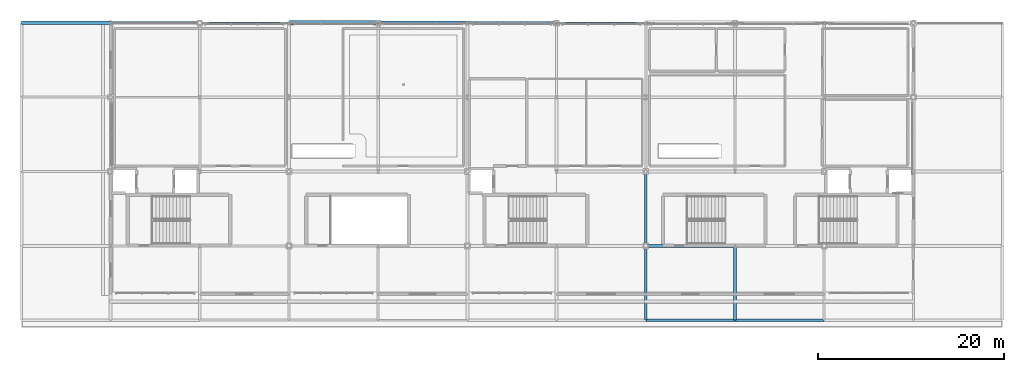
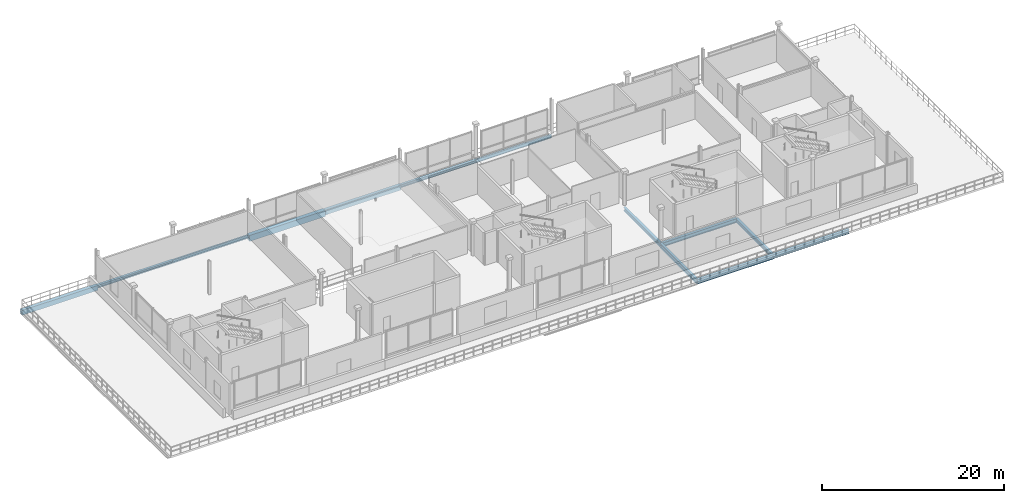
# One storey, part 10 of 26: 13 beams.
"""IFC4 building model written with IfcOpenShell, lengths in metres."""

from ifc_helpers import new_model, si_unit, direction, frame, origin, origin_2d, place, context, subcontext, project, spatial, rectangle, i_section, extrude, material, material_profile, profile_set, type_object, element, save


model = new_model("IFC4")

# Units and contexts
model_context = context("Model", 3, precision=1e-05, world=origin(), true_north=direction((0.0, 1.0)))
body_context = subcontext(model_context, "Body", "Model", "MODEL_VIEW")
ifc_project = project(units=[si_unit("LENGTHUNIT", "METRE"), si_unit("AREAUNIT", "SQUARE_METRE"), si_unit("VOLUMEUNIT", "CUBIC_METRE"), si_unit("PLANEANGLEUNIT", "RADIAN"), si_unit("MASSUNIT", "GRAM", prefix="KILO")], contexts=[model_context])

# Site, building, storey
site_placement = place(None, origin())
site = spatial("IfcSite", under=ifc_project, at=site_placement, CompositionType="ELEMENT")
building_placement = place(site_placement, origin())
building = spatial("IfcBuilding", under=site, at=building_placement, Name="Danafjord Basin Convention Centre", CompositionType="ELEMENT")
storey_placement = place(building_placement, frame((0.0, 0.0, 24.89990234375)))
storey = spatial("IfcBuildingStorey", under=building, at=storey_placement, Name="L05", CompositionType="ELEMENT", Elevation=24.89990234375)

# Beams
ifc_material_1 = material(Name="Steel S355", Category="steel")
ifc_material_profile_1 = material_profile(ifc_material_1, i_section(OverallWidth=0.300048828125, OverallDepth=0.5, WebThickness=0.014404296875, FlangeThickness=0.028076171875, FilletRadius=0.027099609375, at=origin_2d()), Name="HEB 500")
ifc_profile_set_1 = profile_set([ifc_material_profile_1], Name="Steel S355")
beam_type_1 = type_object("IfcBeamType", Name="BEAM-BM-HEB500", PredefinedType="BEAM", material=ifc_profile_set_1)
for number, where, z_axis, x_axis, name in (
    (1, (67.199951171875, 16.0, -0.5), (0.0, 1.0, 0.0), (-1.0, 0.0, 0.0), "L05 transverse girder BM-HEB500"),
    (2, (76.800048828125, 8.0, -0.5), (0.0, 1.0, 0.0), (-1.0, 0.0, 0.0), "L05 transverse girder BM-HEB500"),
):
    element("IfcBeam", number, at=place(storey_placement, frame(where, z_axis=z_axis, x_axis=x_axis)), inside=storey, type_object=beam_type_1, Name=name, PredefinedType="BEAM", context=body_context, shape_type="SweptSolid", body=[
        extrude(i_section(OverallWidth=0.300048828125, OverallDepth=0.5, WebThickness=0.014404296875, FlangeThickness=0.028076171875, FilletRadius=0.027099609375, at=origin_2d()), origin(), (0.0, 0.0, 1.0), 8.0),
    ])
ifc_material_profile_2 = material_profile(ifc_material_1, i_section(OverallWidth=0.300048828125, OverallDepth=0.550048828125, WebThickness=0.014892578125, FlangeThickness=0.029052734375, FilletRadius=0.027099609375, at=origin_2d()), Name="HEB 550")
ifc_profile_set_2 = profile_set([ifc_material_profile_2], Name="Steel S355")
beam_type_2 = type_object("IfcBeamType", Name="BEAM-BM-HEB550", PredefinedType="BEAM", material=ifc_profile_set_2)
beam_1_placement = place(storey_placement, frame((67.199951171875, 16.0, -0.52490234375), z_axis=(1.0, 0.0, 0.0), x_axis=(0.0, 1.0, 0.0)))
element("IfcBeam", 3, at=beam_1_placement, inside=storey, type_object=beam_type_2, Name="L05 girder BM-HEB550", PredefinedType="BEAM", context=body_context, shape_type="SweptSolid", body=[
    extrude(i_section(OverallWidth=0.300048828125, OverallDepth=0.550048828125, WebThickness=0.014892578125, FlangeThickness=0.029052734375, FilletRadius=0.027099609375, at=origin_2d()), origin(), (0.0, 0.0, 1.0), 9.60009765625),
])
beam_2_placement = place(storey_placement, frame((76.800048828125, 8.0, -0.514892578125), z_axis=(1.0, 0.0, 0.0), x_axis=(0.0, 1.0, 0.0)))
element("IfcBeam", 4, at=beam_2_placement, inside=storey, type_object=beam_type_2, Name="L05 girder BM-HEB550", PredefinedType="BEAM", context=body_context, shape_type="SweptSolid", body=[
    extrude(i_section(OverallWidth=0.300048828125, OverallDepth=0.550048828125, WebThickness=0.014892578125, FlangeThickness=0.029052734375, FilletRadius=0.027099609375, at=origin_2d()), origin(), (0.0, 0.0, 1.0), 9.599853515625),
])
ifc_material_profile_3 = material_profile(ifc_material_1, i_section(OverallWidth=0.300048828125, OverallDepth=0.60009765625, WebThickness=0.015380859375, FlangeThickness=0.030029296875, FilletRadius=0.027099609375, at=origin_2d()), Name="HEB 600")
ifc_profile_set_3 = profile_set([ifc_material_profile_3], Name="Steel S355")
beam_type_3 = type_object("IfcBeamType", Name="BEAM-BM-HEB600", PredefinedType="BEAM", material=ifc_profile_set_3)
beam_3_placement = place(storey_placement, frame((67.199951171875, 8.0, -0.539794921875), z_axis=(1.0, 0.0, 0.0), x_axis=(0.0, 1.0, 0.0)))
element("IfcBeam", 5, at=beam_3_placement, inside=storey, type_object=beam_type_3, Name="L05 girder BM-HEB600", PredefinedType="BEAM", context=body_context, shape_type="SweptSolid", body=[
    extrude(i_section(OverallWidth=0.300048828125, OverallDepth=0.60009765625, WebThickness=0.015380859375, FlangeThickness=0.030029296875, FilletRadius=0.027099609375, at=origin_2d()), origin(), (0.0, 0.0, 1.0), 9.60009765625),
])
beam_4_placement = place(storey_placement, frame((67.199951171875, 8.0, -0.5498046875), z_axis=(0.0, 1.0, 0.0), x_axis=(-1.0, 0.0, 0.0)))
element("IfcBeam", 6, at=beam_4_placement, inside=storey, type_object=beam_type_3, Name="L05 transverse girder BM-HEB600", PredefinedType="BEAM", context=body_context, shape_type="SweptSolid", body=[
    extrude(i_section(OverallWidth=0.300048828125, OverallDepth=0.60009765625, WebThickness=0.015380859375, FlangeThickness=0.030029296875, FilletRadius=0.027099609375, at=origin_2d()), origin(), (0.0, 0.0, 1.0), 8.0),
])
ifc_material_profile_4 = material_profile(ifc_material_1, i_section(OverallWidth=0.300048828125, OverallDepth=0.39990234375, WebThickness=0.013427734375, FlangeThickness=0.02392578125, FilletRadius=0.027099609375, at=origin_2d()), Name="HEB 400")
ifc_profile_set_4 = profile_set([ifc_material_profile_4], Name="Steel S355")
beam_type_4 = type_object("IfcBeamType", Name="BEAM-SP-HEB400", PredefinedType="SPANDREL", material=ifc_profile_set_4)
beam_5_placement = place(storey_placement, frame((9.60009765625, 40.0, -0.449951171875), z_axis=(1.0, 0.0, 0.0), x_axis=(0.0, 1.0, 0.0)))
element("IfcBeam", 7, at=beam_5_placement, inside=storey, type_object=beam_type_4, Name="L05 girder SP-HEB400", PredefinedType="SPANDREL", context=body_context, shape_type="SweptSolid", body=[
    extrude(i_section(OverallWidth=0.300048828125, OverallDepth=0.39990234375, WebThickness=0.013427734375, FlangeThickness=0.02392578125, FilletRadius=0.027099609375, at=origin_2d()), origin(), (0.0, 0.0, 1.0), 9.599853515625),
])
beam_6_placement = place(storey_placement, frame((48.0, 40.0, -0.449951171875), z_axis=(1.0, 0.0, 0.0), x_axis=(0.0, 1.0, 0.0)))
element("IfcBeam", 8, at=beam_6_placement, inside=storey, type_object=beam_type_4, Name="L05 girder SP-HEB400", PredefinedType="SPANDREL", context=body_context, shape_type="SweptSolid", body=[
    extrude(i_section(OverallWidth=0.300048828125, OverallDepth=0.39990234375, WebThickness=0.013427734375, FlangeThickness=0.02392578125, FilletRadius=0.027099609375, at=origin_2d()), origin(), (0.0, 0.0, 1.0), 9.60009765625),
])
ifc_material_profile_5 = material_profile(ifc_material_1, i_section(OverallWidth=0.18994140625, OverallDepth=0.449951171875, WebThickness=0.009521484375, FlangeThickness=0.0146484375, FilletRadius=0.02099609375, at=origin_2d()), Name="IPE 450")
ifc_profile_set_5 = profile_set([ifc_material_profile_5], Name="Steel S355")
beam_type_5 = type_object("IfcBeamType", Name="BEAM-SP-IPE450", PredefinedType="SPANDREL", material=ifc_profile_set_5)
beam_7_placement = place(storey_placement, frame((19.199951171875, 40.0, -0.474853515625), z_axis=(1.0, 0.0, 0.0), x_axis=(0.0, 1.0, 0.0)))
element("IfcBeam", 9, at=beam_7_placement, inside=storey, type_object=beam_type_5, Name="L05 girder SP-IPE450", PredefinedType="SPANDREL", context=body_context, shape_type="SweptSolid", body=[
    extrude(i_section(OverallWidth=0.18994140625, OverallDepth=0.449951171875, WebThickness=0.009521484375, FlangeThickness=0.0146484375, FilletRadius=0.02099609375, at=origin_2d()), origin(), (0.0, 0.0, 1.0), 9.60009765625),
])
beam_8_placement = place(storey_placement, frame((57.60009765625, 40.0, -0.474853515625), z_axis=(1.0, 0.0, 0.0), x_axis=(0.0, 1.0, 0.0)))
element("IfcBeam", 10, at=beam_8_placement, inside=storey, type_object=beam_type_5, Name="L05 girder SP-IPE450", PredefinedType="SPANDREL", context=body_context, shape_type="SweptSolid", body=[
    extrude(i_section(OverallWidth=0.18994140625, OverallDepth=0.449951171875, WebThickness=0.009521484375, FlangeThickness=0.0146484375, FilletRadius=0.02099609375, at=origin_2d()), origin(), (0.0, 0.0, 1.0), 9.599853515625),
])
ifc_material_2 = material(Name="Precast concrete C45/55", Category="concrete")
ifc_material_profile_6 = material_profile(ifc_material_2, rectangle(XDim=0.39990234375, YDim=0.64990234375, at=origin_2d()), Name="PCB 400x650")
ifc_profile_set_6 = profile_set([ifc_material_profile_6], Name="Precast concrete C45/55")
beam_type_6 = type_object("IfcBeamType", Name="BEAM-SP-PCB650", PredefinedType="SPANDREL", material=ifc_profile_set_6)
for number, where, z_axis, x_axis, name in (
    (11, (0.0, 40.0, -0.56494140625), (1.0, 0.0, 0.0), (0.0, 1.0, 0.0), "L05 girder SP-PCB650"),
    (12, (38.39990234375, 40.0, -0.574951171875), (1.0, 0.0, 0.0), (0.0, 1.0, 0.0), "L05 girder SP-PCB650"),
):
    element("IfcBeam", number, at=place(storey_placement, frame(where, z_axis=z_axis, x_axis=x_axis)), inside=storey, type_object=beam_type_6, Name=name, PredefinedType="SPANDREL", context=body_context, shape_type="SweptSolid", body=[
        extrude(rectangle(XDim=0.39990234375, YDim=0.64990234375, at=origin_2d()), origin(), (0.0, 0.0, 1.0), 9.60009765625),
    ])
ifc_material_profile_7 = material_profile(ifc_material_2, rectangle(XDim=0.5, YDim=0.800048828125, at=origin_2d()), Name="PCB 500x800")
ifc_profile_set_7 = profile_set([ifc_material_profile_7], Name="Precast concrete C45/55")
beam_type_7 = type_object("IfcBeamType", Name="BEAM-SP-PCB800", PredefinedType="SPANDREL", material=ifc_profile_set_7)
beam_9_placement = place(storey_placement, frame((28.800048828125, 40.0, -0.64990234375), z_axis=(1.0, 0.0, 0.0), x_axis=(0.0, 1.0, 0.0)))
element("IfcBeam", 13, at=beam_9_placement, inside=storey, type_object=beam_type_7, Name="L05 girder SP-PCB800", PredefinedType="SPANDREL", context=body_context, shape_type="SweptSolid", body=[
    extrude(rectangle(XDim=0.5, YDim=0.800048828125, at=origin_2d()), origin(), (0.0, 0.0, 1.0), 9.599853515625),
])

save(model, "model.ifc")
